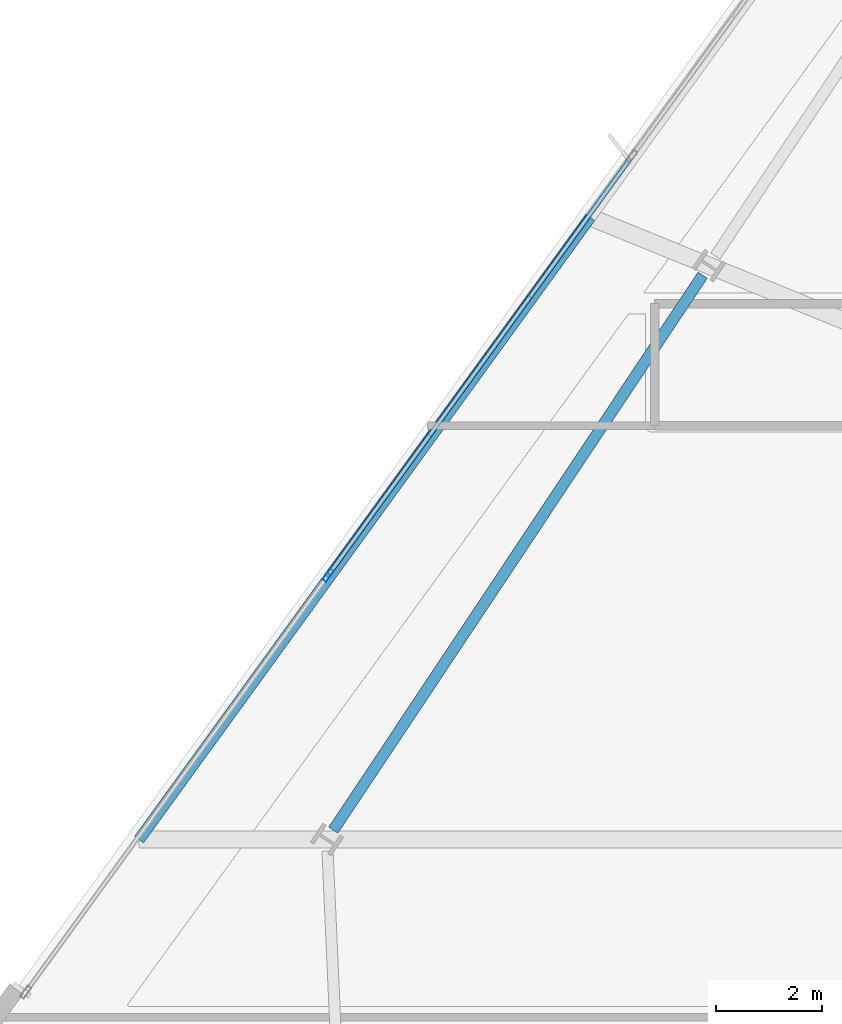
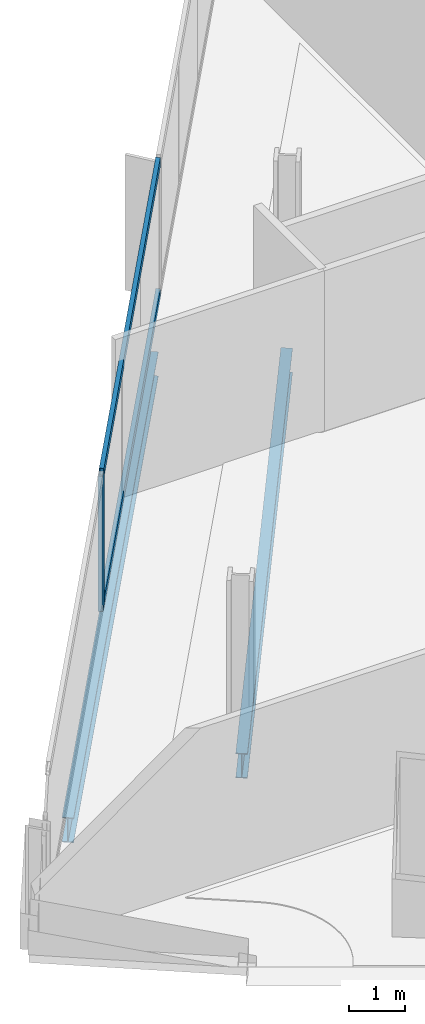
# One storey, part 13 of 29: 3 members, 2 beams, 1 element without a shape of its own.
"""IFC4 building model written with IfcOpenShell, lengths in metres."""

from ifc_helpers import new_model, si_unit, direction, frame, origin, origin_2d, place, context, subcontext, project, spatial, hollow_rectangle, i_section, extrude, material, material_profile, profile_set, type_object, element, aggregate, save


model = new_model("IFC4")

# Units and contexts
model_context = context("Model", 3, precision=1e-05, world=origin(), true_north=direction((0.0, 1.0)))
body_context = subcontext(model_context, "Body", "Model", "MODEL_VIEW")
ifc_project = project(units=[si_unit("LENGTHUNIT", "METRE"), si_unit("AREAUNIT", "SQUARE_METRE"), si_unit("VOLUMEUNIT", "CUBIC_METRE"), si_unit("PLANEANGLEUNIT", "RADIAN"), si_unit("MASSUNIT", "GRAM", prefix="KILO")], contexts=[model_context])

# Site, building, storey
site_placement = place(None, origin())
site = spatial("IfcSite", under=ifc_project, at=site_placement, CompositionType="ELEMENT")
building_placement = place(site_placement, origin())
building = spatial("IfcBuilding", under=site, at=building_placement, Name="Haldenkirk Collegiate Tower", CompositionType="ELEMENT")
storey_placement = place(building_placement, frame((0.0, 0.0, 209.699951171875)))
storey = spatial("IfcBuildingStorey", under=building, at=storey_placement, Name="L52", CompositionType="ELEMENT", Elevation=209.699951171875)

# Beams
ifc_material_1 = material(Name="Steel ASTM A992 Grade 50", Category="steel")
ifc_material_profile_1 = material_profile(ifc_material_1, i_section(OverallWidth=0.2099609375, OverallDepth=0.537109375, WebThickness=0.010986328125, FlangeThickness=0.017333984375, at=origin_2d()), Name="W21X68")
ifc_profile_set_1 = profile_set([ifc_material_profile_1], Name="Steel ASTM A992 Grade 50")
beam_type = type_object("IfcBeamType", Name="BM-SPANDREL-W21X68", PredefinedType="SPANDREL", material=ifc_profile_set_1)
beam_1_placement = place(storey_placement, frame((19.106201171875, 36.98486328125, -0.54833984375), z_axis=(-0.554117024454, -0.832438780458, 0.0), x_axis=(0.832438780458, -0.554117024454, 0.0)))
element("IfcBeam", 1, at=beam_1_placement, inside=storey, type_object=beam_type, Name="L52 perimeter spandrel beam 11", PredefinedType="SPANDREL", context=body_context, shape_type="SweptSolid", body=[
    extrude(i_section(OverallWidth=0.2099609375, OverallDepth=0.537109375, WebThickness=0.010986328125, FlangeThickness=0.017333984375, at=origin_2d()), origin(), (0.0, 0.0, 1.0), 12.562255859375),
])
beam_2_placement = place(storey_placement, frame((16.989013671875, 38.07666015625, -0.54833984375), z_axis=(-0.587090157384, -0.80952155444, 0.0), x_axis=(0.80952155444, -0.587090157384, 0.0)))
element("IfcBeam", 2, at=beam_2_placement, inside=storey, type_object=beam_type, Name="L52 outer facade edge beam 3B", PredefinedType="SPANDREL", context=body_context, shape_type="SweptSolid", body=[
    extrude(i_section(OverallWidth=0.2099609375, OverallDepth=0.537109375, WebThickness=0.010986328125, FlangeThickness=0.017333984375, at=origin_2d()), origin(), (0.0, 0.0, 1.0), 14.489501953125),
])

# Curtain wall, members
ifc_material_2 = material(Name="Anodised architectural bronze aluminium", Category="aluminium")
curtain_wall_type = type_object("IfcCurtainWallType", Name="CW-SYS1B-CONVEX-HI", PredefinedType="USERDEFINED", material=ifc_material_2)
curtain_wall_placement = place(storey_placement, origin())
curtain_wall = element("IfcCurtainWall", 3, at=curtain_wall_placement, inside=storey, type_object=curtain_wall_type, Name="L52 Upper tower high-wind convex bronze unitised curtain wall", ObjectType="UNITISED CURTAIN WALL", PredefinedType="USERDEFINED")
ifc_material_profile_2 = material_profile(ifc_material_2, hollow_rectangle(XDim=0.0849609375, YDim=0.25, WallThickness=0.0048828125, at=origin_2d()), Name="CW-MUL-1B")
ifc_profile_set_2 = profile_set([ifc_material_profile_2], Name="Anodised architectural bronze aluminium")
member_type_1 = type_object("IfcMemberType", Name="CW-MUL-1B", PredefinedType="MULLION", material=ifc_profile_set_2)
member_1_placement = place(storey_placement, frame((12.04541015625, 31.328125, 0.0), z_axis=(0.0, 0.0, 1.0), x_axis=(-0.809530136463, 0.5870783237, 0.0)))
member_1 = element("IfcMember", 4, at=member_1_placement, type_object=member_type_1, Name="CW-1B mullion 2", PredefinedType="MULLION", context=body_context, shape_type="SweptSolid", body=[
    extrude(hollow_rectangle(XDim=0.0849609375, YDim=0.25, WallThickness=0.0048828125, at=origin_2d()), origin(), (0.0, 0.0, 1.0), 2.927978515625),
])
ifc_material_profile_3 = material_profile(ifc_material_2, hollow_rectangle(XDim=0.0849609375, YDim=0.199951171875, WallThickness=0.0048828125, at=origin_2d()), Name="CW-TRN-1B")
ifc_profile_set_3 = profile_set([ifc_material_profile_3], Name="Anodised architectural bronze aluminium")
member_type_2 = type_object("IfcMemberType", Name="CW-TRN-1B", PredefinedType="USERDEFINED", material=ifc_profile_set_3)
member_2_placement = place(storey_placement, frame((12.0703125, 31.362548828125, 0.04248046875), z_axis=(0.587082226674, 0.809527305978, 0.0), x_axis=(-0.809527305978, 0.587082226674, 0.0)))
member_2 = element("IfcMember", 5, at=member_2_placement, type_object=member_type_2, Name="CW-1B transom 2.1", ObjectType="TRANSOM", PredefinedType="USERDEFINED", context=body_context, shape_type="SweptSolid", body=[
    extrude(hollow_rectangle(XDim=0.0849609375, YDim=0.199951171875, WallThickness=0.0048828125, at=origin_2d()), origin(), (0.0, 0.0, 1.0), 9.664794921875),
])
member_3_placement = place(storey_placement, frame((12.0703125, 31.362548828125, 2.885498046875), z_axis=(0.587082226674, 0.809527305978, 0.0), x_axis=(-0.809527305978, 0.587082226674, 0.0)))
member_3 = element("IfcMember", 6, at=member_3_placement, type_object=member_type_2, Name="CW-1B transom 2.2", ObjectType="TRANSOM", PredefinedType="USERDEFINED", context=body_context, shape_type="SweptSolid", body=[
    extrude(hollow_rectangle(XDim=0.0849609375, YDim=0.199951171875, WallThickness=0.0048828125, at=origin_2d()), origin(), (0.0, 0.0, 1.0), 9.664794921875),
])
aggregate(curtain_wall, [member_1, member_2, member_3])

save(model, "model.ifc")
